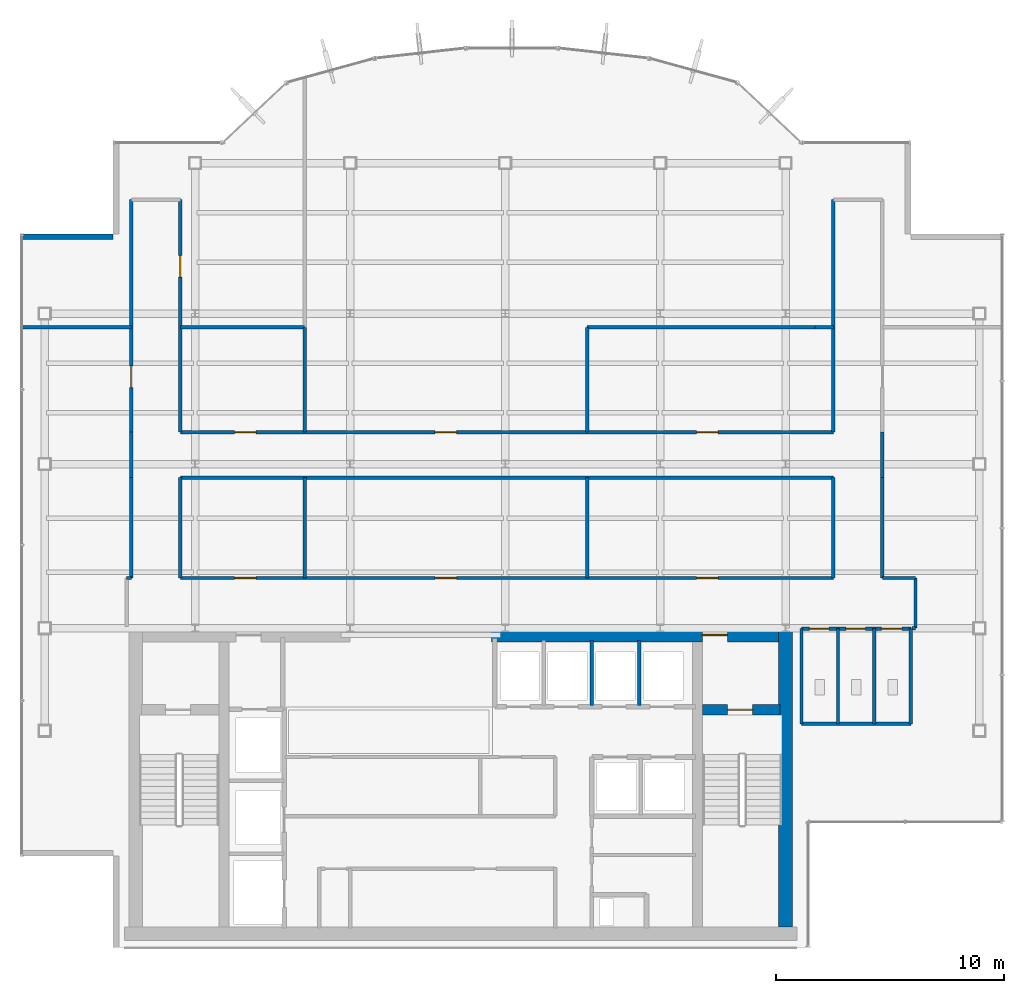
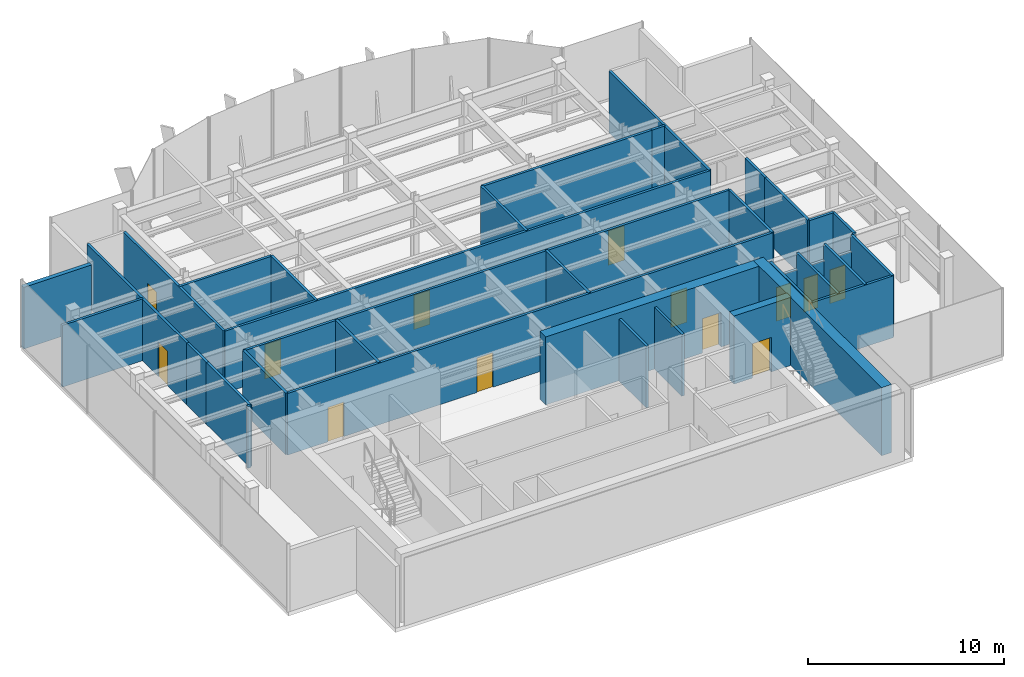
# One storey, part 20 of 24: 36 walls, 13 doors, 13 openings.
"""IFC4 building model written with IfcOpenShell, lengths in metres."""

from ifc_helpers import new_model, si_unit, derived_unit, direction, frame, frame_2d, origin, place, context, subcontext, project, spatial, rectangle, extrude, source, transform, mapped, material, layer, layer_set, type_object, element, fill, save


model = new_model("IFC4")

# Units and contexts
model_context = context("Model", 3, precision=1e-05, world=origin(), true_north=direction((0.0, 1.0)))
body_context = subcontext(model_context, "Body", "Model", "MODEL_VIEW")
ifc_project = project(units=[si_unit("LENGTHUNIT", "METRE"), si_unit("AREAUNIT", "SQUARE_METRE"), si_unit("VOLUMEUNIT", "CUBIC_METRE"), si_unit("PLANEANGLEUNIT", "RADIAN"), si_unit("MASSUNIT", "GRAM", prefix="KILO"), derived_unit("THERMALTRANSMITTANCEUNIT", [(si_unit("POWERUNIT", "WATT"), 1), (si_unit("LENGTHUNIT", "METRE"), -2), (si_unit("THERMODYNAMICTEMPERATUREUNIT", "KELVIN"), -1)])], contexts=[model_context])

# Site, building, storey
site_placement = place(None, origin())
site = spatial("IfcSite", under=ifc_project, at=site_placement, CompositionType="ELEMENT")
building_placement = place(site_placement, origin())
building = spatial("IfcBuilding", under=site, at=building_placement, Name="Skarnbrae Concourse Arena and Tower", CompositionType="ELEMENT")
storey_placement = place(building_placement, frame((0.0, 0.0, 288.0)))
storey = spatial("IfcBuildingStorey", under=building, at=storey_placement, Name="L75", CompositionType="ELEMENT", Elevation=288.0)

# Wall
ifc_material_1 = material(Name="Concrete 50 MPa (C50/60)", Category="concrete")
ifc_layer_1 = layer(ifc_material_1, 0.60009765625)
ifc_layer_set_1 = layer_set([ifc_layer_1], Name="Concrete 50 MPa (C50/60)")
wall_type_1 = type_object("IfcWallType", Name="WALL-CORE-600-C50", PredefinedType="SHEAR", material=ifc_layer_set_1)
shared_shape_1 = source(origin(), body_context, "Body", "SweptSolid", [
    extrude(rectangle(XDim=13.10009765625, YDim=0.60009765625, at=frame_2d((6.550048828125, 0.0))), origin(), (0.0, 0.0, 1.0), 4.25),
])
wall_1_placement = place(storey_placement, frame((33.5, 0.89990234375, 0.0), z_axis=(0.0, 0.0, 1.0), x_axis=(0.0, 1.0, 0.0)))
element("IfcWall", 1, at=wall_1_placement, inside=storey, type_object=wall_type_1, Name="L75 Rear core shear wall CW-E", PredefinedType="SHEAR", context=body_context, shape_type="MappedRepresentation", body=[
    mapped(shared_shape_1, transform((0.0, 0.0, 0.0))),
])

# Wall, opening, door
shared_shape_2 = source(origin(), body_context, "Body", "SweptSolid", [
    extrude(rectangle(XDim=12.599853515625, YDim=0.60009765625, at=frame_2d((6.2998046875, 0.0))), origin(), (0.0, 0.0, 1.0), 4.25),
])
wall_2_placement = place(storey_placement, frame((20.60009765625, 13.699951171875, 0.0), z_axis=(0.0, 0.0, 1.0), x_axis=(1.0, 0.0, 0.0)))
wall_2 = element("IfcWall", 2, at=wall_2_placement, inside=storey, type_object=wall_type_1, Name="L75 Rear core shear wall CW-NE", PredefinedType="SHEAR", context=body_context, shape_type="MappedRepresentation", body=[
    mapped(shared_shape_2, transform((0.0, 0.0, 0.0))),
])
opening_1_placement = place(wall_2_placement, frame((9.25, 0.0, 0.0)))
opening_1 = element("IfcOpeningElement", 3, at=opening_1_placement, cuts=wall_2, Name="Opening DT-03", PredefinedType="OPENING", context=body_context, shape_type="SweptSolid", body=[
    extrude(rectangle(XDim=1.10009765625, YDim=2.14990234375, at=frame_2d((0.550048828125, 1.074951171875))), frame((0.0, 0.31005859375, 0.0), z_axis=(0.0, -1.0, 0.0), x_axis=(1.0, 0.0, 0.0)), (0.0, 0.0, 1.0), 0.6201171875),
])
ifc_material_2 = material(Name="Steel CSA G40.21 350W", Category="steel")
door_type_1 = type_object("IfcDoorType", Name="DOOR-FIRE-1100-90M", OperationType="NOTDEFINED", PredefinedType="DOOR", material=ifc_material_2)
shared_shape_3 = source(origin(), body_context, "Body", "SweptSolid", [
    extrude(rectangle(XDim=1.10009765625, YDim=2.14990234375, at=frame_2d((0.550048828125, 1.074951171875))), frame((0.0, 0.02490234375, 0.0), z_axis=(0.0, -1.0, 0.0), x_axis=(1.0, 0.0, 0.0)), (0.0, 0.0, 1.0), 0.050048828125),
])
door_1_placement = place(opening_1_placement, origin())
door_1 = element("IfcDoor", 4, at=door_1_placement, inside=storey, type_object=door_type_1, Name="D-2265 Stair ST-2 Vestibule Door", OperationType="SINGLE_SWING_LEFT", OverallHeight=2.14990234375, OverallWidth=1.10009765625, PredefinedType="DOOR", context=body_context, shape_type="MappedRepresentation", body=[
    mapped(shared_shape_3, transform((0.0, 0.0, 0.0))),
])
fill(opening_1, door_1)

ifc_layer_2 = layer(ifc_material_1, 0.449951171875)
ifc_layer_set_2 = layer_set([ifc_layer_2], Name="Concrete 50 MPa (C50/60)")
wall_type_2 = type_object("IfcWallType", Name="WALL-CORE-450-C50", PredefinedType="SHEAR", material=ifc_layer_set_2)
shared_shape_4 = source(origin(), body_context, "Body", "SweptSolid", [
    extrude(rectangle(XDim=3.389892578125, YDim=0.449951171875, at=frame_2d((1.69482421875, 0.0))), origin(), (0.0, 0.0, 1.0), 4.25),
])
wall_3_placement = place(storey_placement, frame((29.860107421875, 10.419921875, 0.0), z_axis=(0.0, 0.0, 1.0), x_axis=(1.0, 0.0, 0.0)))
wall_3 = element("IfcWall", 5, at=wall_3_placement, inside=storey, type_object=wall_type_2, Name="L75 Rear core shear wall CW-ST2-N", PredefinedType="SHEAR", context=body_context, shape_type="MappedRepresentation", body=[
    mapped(shared_shape_4, transform((0.0, 0.0, 0.0))),
])
opening_2_placement = place(wall_3_placement, frame((1.10009765625, 0.0, 0.0)))
opening_2 = element("IfcOpeningElement", 6, at=opening_2_placement, cuts=wall_3, Name="Opening DT-03", PredefinedType="OPENING", context=body_context, shape_type="SweptSolid", body=[
    extrude(rectangle(XDim=1.10009765625, YDim=2.14990234375, at=frame_2d((0.550048828125, 1.074951171875))), frame((0.0, 0.23486328125, 0.0), z_axis=(0.0, -1.0, 0.0), x_axis=(1.0, 0.0, 0.0)), (0.0, 0.0, 1.0), 0.469970703125),
])
door_2_placement = place(opening_2_placement, frame((1.10009765625, 0.0, 0.0), z_axis=(0.0, 0.0, 1.0), x_axis=(-1.0, 0.0, 0.0)))
door_2 = element("IfcDoor", 7, at=door_2_placement, inside=storey, type_object=door_type_1, Name="D-2263 Stair ST-2 Door", OperationType="SINGLE_SWING_RIGHT", OverallHeight=2.14990234375, OverallWidth=1.10009765625, PredefinedType="DOOR", context=body_context, shape_type="MappedRepresentation", body=[
    mapped(shared_shape_3, transform((0.0, 0.0, 0.0))),
])
fill(opening_2, door_2)

# Walls
ifc_material_3 = material(Name="Precast concrete 40 MPa (C40/50)", Category="concrete")
ifc_layer_3 = layer(ifc_material_3, 0.25)
ifc_layer_set_3 = layer_set([ifc_layer_3], Name="Precast concrete 40 MPa (C40/50)")
wall_type_3 = type_object("IfcWallType", Name="WALL-EXT-SPANDREL-250", PredefinedType="STANDARD", material=ifc_layer_set_3)
shared_shape_5 = source(origin(), body_context, "Body", "SweptSolid", [
    extrude(rectangle(XDim=4.0, YDim=0.25, at=frame_2d((2.0, 0.0))), origin(), (0.0, 0.0, 1.0), 3.85009765625),
])
wall_4_placement = place(storey_placement, frame((4.0, 31.175048828125, 0.0), z_axis=(0.0, 0.0, 1.0), x_axis=(-1.0, 0.0, 0.0)))
element("IfcWall", 8, at=wall_4_placement, inside=storey, type_object=wall_type_3, Name="L75 Notched corner insulated return wall 17", PredefinedType="STANDARD", context=body_context, shape_type="MappedRepresentation", body=[
    mapped(shared_shape_5, transform((0.0, 0.0, 0.0))),
])
ifc_material_4 = material(Name="Gypsum board on cold-formed steel studs", Category="steel")
ifc_layer_4 = layer(ifc_material_4, 0.14990234375)
ifc_layer_set_4 = layer_set([ifc_layer_4], Name="Gypsum board on cold-formed steel studs")
wall_type_4 = type_object("IfcWallType", Name="WALL-PART-150", PredefinedType="PARTITIONING", material=ifc_layer_set_4)
shared_shape_6 = source(origin(), body_context, "Body", "SweptSolid", [
    extrude(rectangle(XDim=2.849853515625, YDim=0.14990234375, at=frame_2d((1.4248046875, 0.0))), origin(), (0.0, 0.0, 1.0), 3.85009765625),
])
for number, where, z_axis, x_axis, name in (
    (9, (24.989990234375, 10.60009765625, 0.0), (0.0, 0.0, 1.0), (0.0, 1.0, 0.0), "L75 Interior partition wall W-L75-B3N-P2"),
    (10, (27.090087890625, 10.60009765625, 0.0), (0.0, 0.0, 1.0), (0.0, 1.0, 0.0), "L75 Interior partition wall W-L75-B3N-P3"),
):
    element("IfcWall", number, at=place(storey_placement, frame(where, z_axis=z_axis, x_axis=x_axis)), inside=storey, type_object=wall_type_4, Name=name, PredefinedType="PARTITIONING", context=body_context, shape_type="MappedRepresentation", body=[
        mapped(shared_shape_6, transform((0.0, 0.0, 0.0))),
    ])

# Wall, openings, doors
shared_shape_7 = source(origin(), body_context, "Body", "SweptSolid", [
    extrude(rectangle(XDim=4.800048828125, YDim=0.14990234375, at=frame_2d((2.39990234375, 0.0))), origin(), (0.0, 0.0, 1.0), 2.844970703125),
])
wall_5_placement = place(storey_placement, frame((34.199951171875, 13.97998046875, 0.0), z_axis=(0.0, 0.0, 1.0), x_axis=(1.0, 0.0, 0.0)))
wall_5 = element("IfcWall", 11, at=wall_5_placement, inside=storey, type_object=wall_type_4, Name="L75 Interior partition wall W-L75-WC-N", PredefinedType="PARTITIONING", context=body_context, shape_type="MappedRepresentation", body=[
    mapped(shared_shape_7, transform((0.0, 0.0, 0.0))),
])
opening_3_placement = place(wall_5_placement, frame((0.35009765625, 0.0, 0.0)))
opening_3 = element("IfcOpeningElement", 12, at=opening_3_placement, cuts=wall_5, Name="Opening DT-06", PredefinedType="OPENING", context=body_context, shape_type="SweptSolid", body=[
    extrude(rectangle(XDim=0.85009765625, YDim=2.10009765625, at=frame_2d((0.425048828125, 1.050048828125))), frame((0.0, 0.0849609375, 0.0), z_axis=(0.0, -1.0, 0.0), x_axis=(1.0, 0.0, 0.0)), (0.0, 0.0, 1.0), 0.169921875),
])
opening_4_placement = place(wall_5_placement, frame((1.949951171875, 0.0, 0.0)))
opening_4 = element("IfcOpeningElement", 13, at=opening_4_placement, cuts=wall_5, Name="Opening DT-06", PredefinedType="OPENING", context=body_context, shape_type="SweptSolid", body=[
    extrude(rectangle(XDim=0.85009765625, YDim=2.10009765625, at=frame_2d((0.425048828125, 1.050048828125))), frame((0.0, 0.0849609375, 0.0), z_axis=(0.0, -1.0, 0.0), x_axis=(1.0, 0.0, 0.0)), (0.0, 0.0, 1.0), 0.169921875),
])
opening_5_placement = place(wall_5_placement, frame((3.5, 0.0, 0.0)))
opening_5 = element("IfcOpeningElement", 14, at=opening_5_placement, cuts=wall_5, Name="Opening DT-05", PredefinedType="OPENING", context=body_context, shape_type="SweptSolid", body=[
    extrude(rectangle(XDim=0.89990234375, YDim=2.10009765625, at=frame_2d((0.449951171875, 1.050048828125))), frame((0.0, 0.0849609375, 0.0), z_axis=(0.0, -1.0, 0.0), x_axis=(1.0, 0.0, 0.0)), (0.0, 0.0, 1.0), 0.169921875),
])
ifc_material_5 = material(Name="Architectural oak veneer timber leaf", Category="wood")
door_type_2 = type_object("IfcDoorType", Name="DOOR-INT-850", OperationType="NOTDEFINED", PredefinedType="DOOR", material=ifc_material_5)
shared_shape_8 = source(origin(), body_context, "Body", "SweptSolid", [
    extrude(rectangle(XDim=0.85009765625, YDim=2.10009765625, at=frame_2d((0.425048828125, 1.050048828125))), frame((0.0, 0.02490234375, 0.0), z_axis=(0.0, -1.0, 0.0), x_axis=(1.0, 0.0, 0.0)), (0.0, 0.0, 1.0), 0.050048828125),
])
door_3_placement = place(opening_3_placement, frame((0.85009765625, 0.0, 0.0), z_axis=(0.0, 0.0, 1.0), x_axis=(-1.0, 0.0, 0.0)))
door_3 = element("IfcDoor", 15, at=door_3_placement, inside=storey, type_object=door_type_2, Name="D-2281 Male Washroom Door", OperationType="SINGLE_SWING_LEFT", OverallHeight=2.10009765625, OverallWidth=0.85009765625, PredefinedType="DOOR", context=body_context, shape_type="MappedRepresentation", body=[
    mapped(shared_shape_8, transform((0.0, 0.0, 0.0))),
])
fill(opening_3, door_3)
door_4_placement = place(opening_4_placement, frame((0.85009765625, 0.0, 0.0), z_axis=(0.0, 0.0, 1.0), x_axis=(-1.0, 0.0, 0.0)))
door_4 = element("IfcDoor", 16, at=door_4_placement, inside=storey, type_object=door_type_2, Name="D-2282 Female Washroom Door", OperationType="SINGLE_SWING_RIGHT", OverallHeight=2.10009765625, OverallWidth=0.85009765625, PredefinedType="DOOR", context=body_context, shape_type="MappedRepresentation", body=[
    mapped(shared_shape_8, transform((0.0, 0.0, 0.0))),
])
fill(opening_4, door_4)
door_type_3 = type_object("IfcDoorType", Name="DOOR-INT-900", OperationType="NOTDEFINED", PredefinedType="DOOR", material=ifc_material_5)
shared_shape_9 = source(origin(), body_context, "Body", "SweptSolid", [
    extrude(rectangle(XDim=0.89990234375, YDim=2.10009765625, at=frame_2d((0.449951171875, 1.050048828125))), frame((0.0, 0.02490234375, 0.0), z_axis=(0.0, -1.0, 0.0), x_axis=(1.0, 0.0, 0.0)), (0.0, 0.0, 1.0), 0.050048828125),
])
door_5_placement = place(opening_5_placement, frame((0.89990234375, 0.0, 0.0), z_axis=(0.0, 0.0, 1.0), x_axis=(-1.0, 0.0, 0.0)))
door_5 = element("IfcDoor", 17, at=door_5_placement, inside=storey, type_object=door_type_3, Name="D-2283 Accessible WC Door", OperationType="SINGLE_SWING_LEFT", OverallHeight=2.10009765625, OverallWidth=0.89990234375, PredefinedType="DOOR", context=body_context, shape_type="MappedRepresentation", body=[
    mapped(shared_shape_9, transform((0.0, 0.0, 0.0))),
])
fill(opening_5, door_5)

# Walls
shared_shape_10 = source(origin(), body_context, "Body", "SweptSolid", [
    extrude(rectangle(XDim=4.800048828125, YDim=0.14990234375, at=frame_2d((2.39990234375, 0.0))), origin(), (0.0, 0.0, 1.0), 3.85009765625),
])
wall_6_placement = place(storey_placement, frame((34.199951171875, 9.800048828125, 0.0), z_axis=(0.0, 0.0, 1.0), x_axis=(1.0, 0.0, 0.0)))
element("IfcWall", 18, at=wall_6_placement, inside=storey, type_object=wall_type_4, Name="L75 Interior partition wall W-L75-WC-S", PredefinedType="PARTITIONING", context=body_context, shape_type="MappedRepresentation", body=[
    mapped(shared_shape_10, transform((0.0, 0.0, 0.0))),
])
shared_shape_11 = source(origin(), body_context, "Body", "SweptSolid", [
    extrude(rectangle(XDim=4.179931640625, YDim=0.14990234375, at=frame_2d((2.08984375, 0.0))), origin(), (0.0, 0.0, 1.0), 3.85009765625),
])
for number, where, z_axis, x_axis, name in (
    (19, (39.0, 9.800048828125, 0.0), (0.0, 0.0, 1.0), (0.0, 1.0, 0.0), "L75 Interior partition wall W-L75-WC-E"),
    (20, (34.199951171875, 9.800048828125, 0.0), (0.0, 0.0, 1.0), (0.0, 1.0, 0.0), "L75 Interior partition wall W-L75-WC-W"),
    (21, (35.800048828125, 9.800048828125, 0.0), (0.0, 0.0, 1.0), (0.0, 1.0, 0.0), "L75 Interior partition wall W-L75-WC-D1"),
    (22, (37.39990234375, 9.800048828125, 0.0), (0.0, 0.0, 1.0), (0.0, 1.0, 0.0), "L75 Interior partition wall W-L75-WC-D2"),
):
    element("IfcWall", number, at=place(storey_placement, frame(where, z_axis=z_axis, x_axis=x_axis)), inside=storey, type_object=wall_type_4, Name=name, PredefinedType="PARTITIONING", context=body_context, shape_type="MappedRepresentation", body=[
        mapped(shared_shape_11, transform((0.0, 0.0, 0.0))),
    ])
ifc_layer_5 = layer(ifc_material_4, 0.14990234375)
ifc_layer_set_5 = layer_set([ifc_layer_5], Name="Gypsum board on cold-formed steel studs")
wall_type_5 = type_object("IfcWallType", Name="WALL-PART-150-1HR", PredefinedType="PARTITIONING", material=ifc_layer_set_5)
shared_shape_12 = source(origin(), body_context, "Body", "SweptSolid", [
    extrude(rectangle(XDim=0.199951171875, YDim=0.14990234375, at=frame_2d((0.10009765625, 0.0))), origin(), (0.0, 0.0, 1.0), 3.85009765625),
])
wall_7_placement = place(storey_placement, frame((4.60009765625, 16.199951171875, 0.0), z_axis=(0.0, 0.0, 1.0), x_axis=(1.0, 0.0, 0.0)))
element("IfcWall", 23, at=wall_7_placement, inside=storey, type_object=wall_type_5, Name="L75 Interior partition wall W-L75-COR-02", PredefinedType="PARTITIONING", context=body_context, shape_type="MappedRepresentation", body=[
    mapped(shared_shape_12, transform((0.0, 0.0, 0.0))),
])
shared_shape_13 = source(origin(), body_context, "Body", "SweptSolid", [
    extrude(rectangle(XDim=4.400146484375, YDim=0.14990234375, at=frame_2d((2.2001953125, 0.0))), origin(), (0.0, 0.0, 1.0), 3.85009765625),
])
for number, where, z_axis, x_axis, name in (
    (24, (4.800048828125, 16.199951171875, 0.0), (0.0, 0.0, 1.0), (0.0, 1.0, 0.0), "L75 Interior partition wall W-L75-COR-03"),
    (25, (37.75, 20.60009765625, 0.0), (0.0, 0.0, 1.0), (0.0, -1.0, 0.0), "L75 Interior partition wall W-L75-COR-13"),
    (26, (35.60009765625, 16.199951171875, 0.0), (0.0, 0.0, 1.0), (0.0, 1.0, 0.0), "L75 Interior partition wall W-L75-COR-18"),
    (27, (6.949951171875, 20.60009765625, 0.0), (0.0, 0.0, 1.0), (0.0, -1.0, 0.0), "L75 Interior partition wall W-L75-COR-20"),
):
    element("IfcWall", number, at=place(storey_placement, frame(where, z_axis=z_axis, x_axis=x_axis)), inside=storey, type_object=wall_type_5, Name=name, PredefinedType="PARTITIONING", context=body_context, shape_type="MappedRepresentation", body=[
        mapped(shared_shape_13, transform((0.0, 0.0, 0.0))),
    ])
for number, where, z_axis, x_axis, name in (
    (28, (12.39990234375, 20.60009765625, 0.0), (0.0, 0.0, 1.0), (0.0, -1.0, 0.0), "L75 Interior partition wall W-L75-DEM-23"),
    (29, (24.800048828125, 20.60009765625, 0.0), (0.0, 0.0, 1.0), (0.0, -1.0, 0.0), "L75 Interior partition wall W-L75-DEM-26"),
):
    element("IfcWall", number, at=place(storey_placement, frame(where, z_axis=z_axis, x_axis=x_axis)), inside=storey, type_object=wall_type_4, Name=name, PredefinedType="PARTITIONING", context=body_context, shape_type="MappedRepresentation", body=[
        mapped(shared_shape_13, transform((0.0, 0.0, 0.0))),
    ])
shared_shape_14 = source(origin(), body_context, "Body", "SweptSolid", [
    extrude(rectangle(XDim=2.0, YDim=0.14990234375, at=frame_2d((1.0, 0.0))), origin(), (0.0, 0.0, 1.0), 3.85009765625),
])
for number, where, z_axis, x_axis, name in (
    (30, (4.800048828125, 20.60009765625, 0.0), (0.0, 0.0, 1.0), (0.0, 1.0, 0.0), "L75 Interior partition wall W-L75-COR-04"),
    (31, (37.75, 22.60009765625, 0.0), (0.0, 0.0, 1.0), (0.0, -1.0, 0.0), "L75 Interior partition wall W-L75-COR-12"),
):
    element("IfcWall", number, at=place(storey_placement, frame(where, z_axis=z_axis, x_axis=x_axis)), inside=storey, type_object=wall_type_5, Name=name, PredefinedType="PARTITIONING", context=body_context, shape_type="MappedRepresentation", body=[
        mapped(shared_shape_14, transform((0.0, 0.0, 0.0))),
    ])

# Wall, opening, door
shared_shape_15 = source(origin(), body_context, "Body", "SweptSolid", [
    extrude(rectangle(XDim=10.199951171875, YDim=0.14990234375, at=frame_2d((5.10009765625, 0.0))), origin(), (0.0, 0.0, 1.0), 3.85009765625),
])
wall_8_placement = place(storey_placement, frame((4.800048828125, 22.60009765625, 0.0), z_axis=(0.0, 0.0, 1.0), x_axis=(0.0, 1.0, 0.0)))
wall_8 = element("IfcWall", 32, at=wall_8_placement, inside=storey, type_object=wall_type_5, Name="L75 Interior partition wall W-L75-COR-05", PredefinedType="PARTITIONING", context=body_context, shape_type="MappedRepresentation", body=[
    mapped(shared_shape_15, transform((0.0, 0.0, 0.0))),
])
opening_6_placement = place(wall_8_placement, frame((1.955078125, 0.0, 0.0)))
opening_6 = element("IfcOpeningElement", 33, at=opening_6_placement, cuts=wall_8, Name="Opening DT-04", PredefinedType="OPENING", context=body_context, shape_type="SweptSolid", body=[
    extrude(rectangle(XDim=0.949951171875, YDim=2.14990234375, at=frame_2d((0.47509765625, 1.074951171875))), frame((0.0, 0.0849609375, 0.0), z_axis=(0.0, -1.0, 0.0), x_axis=(1.0, 0.0, 0.0)), (0.0, 0.0, 1.0), 0.169921875),
])
door_type_4 = type_object("IfcDoorType", Name="DOOR-INT-950-45M", OperationType="NOTDEFINED", PredefinedType="DOOR", material=ifc_material_2)
shared_shape_16 = source(origin(), body_context, "Body", "SweptSolid", [
    extrude(rectangle(XDim=0.949951171875, YDim=2.14990234375, at=frame_2d((0.47509765625, 1.074951171875))), frame((0.0, 0.02490234375, 0.0), z_axis=(0.0, -1.0, 0.0), x_axis=(1.0, 0.0, 0.0)), (0.0, 0.0, 1.0), 0.050048828125),
])
door_6_placement = place(opening_6_placement, origin())
door_6 = element("IfcDoor", 34, at=door_6_placement, inside=storey, type_object=door_type_4, Name="D-2284 L75 Suite Door 01", OperationType="SINGLE_SWING_RIGHT", OverallHeight=2.14990234375, OverallWidth=0.949951171875, PredefinedType="DOOR", context=body_context, shape_type="MappedRepresentation", body=[
    mapped(shared_shape_16, transform((0.0, 0.0, 0.0))),
])
fill(opening_6, door_6)

wall_9_placement = place(storey_placement, frame((6.949951171875, 32.800048828125, 0.0), z_axis=(0.0, 0.0, 1.0), x_axis=(0.0, -1.0, 0.0)))
wall_9 = element("IfcWall", 35, at=wall_9_placement, inside=storey, type_object=wall_type_5, Name="L75 Interior partition wall W-L75-COR-07", PredefinedType="PARTITIONING", context=body_context, shape_type="MappedRepresentation", body=[
    mapped(shared_shape_15, transform((0.0, 0.0, 0.0))),
])
opening_7_placement = place(wall_9_placement, frame((2.455078125, 0.0, 0.0)))
opening_7 = element("IfcOpeningElement", 36, at=opening_7_placement, cuts=wall_9, Name="Opening DT-04", PredefinedType="OPENING", context=body_context, shape_type="SweptSolid", body=[
    extrude(rectangle(XDim=0.949951171875, YDim=2.14990234375, at=frame_2d((0.47509765625, 1.074951171875))), frame((0.0, 0.0849609375, 0.0), z_axis=(0.0, -1.0, 0.0), x_axis=(1.0, 0.0, 0.0)), (0.0, 0.0, 1.0), 0.169921875),
])
door_7_placement = place(opening_7_placement, origin())
door_7 = element("IfcDoor", 37, at=door_7_placement, inside=storey, type_object=door_type_4, Name="D-2285 L75 Suite Door 02", OperationType="SINGLE_SWING_LEFT", OverallHeight=2.14990234375, OverallWidth=0.949951171875, PredefinedType="DOOR", context=body_context, shape_type="MappedRepresentation", body=[
    mapped(shared_shape_16, transform((0.0, 0.0, 0.0))),
])
fill(opening_7, door_7)

# Wall
wall_10_placement = place(storey_placement, frame((35.60009765625, 22.60009765625, 0.0), z_axis=(0.0, 0.0, 1.0), x_axis=(0.0, 1.0, 0.0)))
element("IfcWall", 38, at=wall_10_placement, inside=storey, type_object=wall_type_5, Name="L75 Interior partition wall W-L75-COR-09", PredefinedType="PARTITIONING", context=body_context, shape_type="MappedRepresentation", body=[
    mapped(shared_shape_15, transform((0.0, 0.0, 0.0))),
])

# Wall, openings, doors
shared_shape_17 = source(origin(), body_context, "Body", "SweptSolid", [
    extrude(rectangle(XDim=28.650146484375, YDim=0.14990234375, at=frame_2d((14.3251953125, 0.0))), origin(), (0.0, 0.0, 1.0), 3.85009765625),
])
wall_11_placement = place(storey_placement, frame((6.949951171875, 22.60009765625, 0.0), z_axis=(0.0, 0.0, 1.0), x_axis=(1.0, 0.0, 0.0)))
wall_11 = element("IfcWall", 39, at=wall_11_placement, inside=storey, type_object=wall_type_5, Name="L75 Interior partition wall W-L75-COR-08", PredefinedType="PARTITIONING", context=body_context, shape_type="MappedRepresentation", body=[
    mapped(shared_shape_17, transform((0.0, 0.0, 0.0))),
])
opening_8_placement = place(wall_11_placement, frame((2.3798828125, 0.0, 0.0)))
opening_8 = element("IfcOpeningElement", 40, at=opening_8_placement, cuts=wall_11, Name="Opening DT-04", PredefinedType="OPENING", context=body_context, shape_type="SweptSolid", body=[
    extrude(rectangle(XDim=0.949951171875, YDim=2.14990234375, at=frame_2d((0.47509765625, 1.074951171875))), frame((0.0, 0.0849609375, 0.0), z_axis=(0.0, -1.0, 0.0), x_axis=(1.0, 0.0, 0.0)), (0.0, 0.0, 1.0), 0.169921875),
])
opening_9_placement = place(wall_11_placement, frame((11.175048828125, 0.0, 0.0)))
opening_9 = element("IfcOpeningElement", 41, at=opening_9_placement, cuts=wall_11, Name="Opening DT-04", PredefinedType="OPENING", context=body_context, shape_type="SweptSolid", body=[
    extrude(rectangle(XDim=0.949951171875, YDim=2.14990234375, at=frame_2d((0.47509765625, 1.074951171875))), frame((0.0, 0.0849609375, 0.0), z_axis=(0.0, -1.0, 0.0), x_axis=(1.0, 0.0, 0.0)), (0.0, 0.0, 1.0), 0.169921875),
])
opening_10_placement = place(wall_11_placement, frame((22.64501953125, 0.0, 0.0)))
opening_10 = element("IfcOpeningElement", 42, at=opening_10_placement, cuts=wall_11, Name="Opening DT-04", PredefinedType="OPENING", context=body_context, shape_type="SweptSolid", body=[
    extrude(rectangle(XDim=0.949951171875, YDim=2.14990234375, at=frame_2d((0.47509765625, 1.074951171875))), frame((0.0, 0.0849609375, 0.0), z_axis=(0.0, -1.0, 0.0), x_axis=(1.0, 0.0, 0.0)), (0.0, 0.0, 1.0), 0.169921875),
])
door_8_placement = place(opening_8_placement, origin())
door_8 = element("IfcDoor", 43, at=door_8_placement, inside=storey, type_object=door_type_4, Name="D-2287 L75 Suite Door 04", OperationType="SINGLE_SWING_LEFT", OverallHeight=2.14990234375, OverallWidth=0.949951171875, PredefinedType="DOOR", context=body_context, shape_type="MappedRepresentation", body=[
    mapped(shared_shape_16, transform((0.0, 0.0, 0.0))),
])
fill(opening_8, door_8)
door_9_placement = place(opening_9_placement, origin())
door_9 = element("IfcDoor", 44, at=door_9_placement, inside=storey, type_object=door_type_4, Name="D-2289 L75 Suite Door 06", OperationType="SINGLE_SWING_LEFT", OverallHeight=2.14990234375, OverallWidth=0.949951171875, PredefinedType="DOOR", context=body_context, shape_type="MappedRepresentation", body=[
    mapped(shared_shape_16, transform((0.0, 0.0, 0.0))),
])
fill(opening_9, door_9)
door_10_placement = place(opening_10_placement, origin())
door_10 = element("IfcDoor", 45, at=door_10_placement, inside=storey, type_object=door_type_4, Name="D-2291 L75 Suite Door 08", OperationType="SINGLE_SWING_LEFT", OverallHeight=2.14990234375, OverallWidth=0.949951171875, PredefinedType="DOOR", context=body_context, shape_type="MappedRepresentation", body=[
    mapped(shared_shape_16, transform((0.0, 0.0, 0.0))),
])
fill(opening_10, door_10)

wall_12_placement = place(storey_placement, frame((6.949951171875, 16.199951171875, 0.0), z_axis=(0.0, 0.0, 1.0), x_axis=(1.0, 0.0, 0.0)))
wall_12 = element("IfcWall", 46, at=wall_12_placement, inside=storey, type_object=wall_type_5, Name="L75 Interior partition wall W-L75-COR-17", PredefinedType="PARTITIONING", context=body_context, shape_type="MappedRepresentation", body=[
    mapped(shared_shape_17, transform((0.0, 0.0, 0.0))),
])
opening_11_placement = place(wall_12_placement, frame((2.3798828125, 0.0, 0.0)))
opening_11 = element("IfcOpeningElement", 47, at=opening_11_placement, cuts=wall_12, Name="Opening DT-04", PredefinedType="OPENING", context=body_context, shape_type="SweptSolid", body=[
    extrude(rectangle(XDim=0.949951171875, YDim=2.14990234375, at=frame_2d((0.47509765625, 1.074951171875))), frame((0.0, 0.0849609375, 0.0), z_axis=(0.0, -1.0, 0.0), x_axis=(1.0, 0.0, 0.0)), (0.0, 0.0, 1.0), 0.169921875),
])
opening_12_placement = place(wall_12_placement, frame((11.175048828125, 0.0, 0.0)))
opening_12 = element("IfcOpeningElement", 48, at=opening_12_placement, cuts=wall_12, Name="Opening DT-04", PredefinedType="OPENING", context=body_context, shape_type="SweptSolid", body=[
    extrude(rectangle(XDim=0.949951171875, YDim=2.14990234375, at=frame_2d((0.47509765625, 1.074951171875))), frame((0.0, 0.0849609375, 0.0), z_axis=(0.0, -1.0, 0.0), x_axis=(1.0, 0.0, 0.0)), (0.0, 0.0, 1.0), 0.169921875),
])
opening_13_placement = place(wall_12_placement, frame((22.64501953125, 0.0, 0.0)))
opening_13 = element("IfcOpeningElement", 49, at=opening_13_placement, cuts=wall_12, Name="Opening DT-04", PredefinedType="OPENING", context=body_context, shape_type="SweptSolid", body=[
    extrude(rectangle(XDim=0.949951171875, YDim=2.14990234375, at=frame_2d((0.47509765625, 1.074951171875))), frame((0.0, 0.0849609375, 0.0), z_axis=(0.0, -1.0, 0.0), x_axis=(1.0, 0.0, 0.0)), (0.0, 0.0, 1.0), 0.169921875),
])
door_11_placement = place(opening_11_placement, origin())
door_11 = element("IfcDoor", 50, at=door_11_placement, inside=storey, type_object=door_type_4, Name="D-2286 L75 Suite Door 03", OperationType="SINGLE_SWING_RIGHT", OverallHeight=2.14990234375, OverallWidth=0.949951171875, PredefinedType="DOOR", context=body_context, shape_type="MappedRepresentation", body=[
    mapped(shared_shape_16, transform((0.0, 0.0, 0.0))),
])
fill(opening_11, door_11)
door_12_placement = place(opening_12_placement, origin())
door_12 = element("IfcDoor", 51, at=door_12_placement, inside=storey, type_object=door_type_4, Name="D-2288 L75 Suite Door 05", OperationType="SINGLE_SWING_RIGHT", OverallHeight=2.14990234375, OverallWidth=0.949951171875, PredefinedType="DOOR", context=body_context, shape_type="MappedRepresentation", body=[
    mapped(shared_shape_16, transform((0.0, 0.0, 0.0))),
])
fill(opening_12, door_12)
door_13_placement = place(opening_13_placement, origin())
door_13 = element("IfcDoor", 52, at=door_13_placement, inside=storey, type_object=door_type_4, Name="D-2290 L75 Suite Door 07", OperationType="SINGLE_SWING_RIGHT", OverallHeight=2.14990234375, OverallWidth=0.949951171875, PredefinedType="DOOR", context=body_context, shape_type="MappedRepresentation", body=[
    mapped(shared_shape_16, transform((0.0, 0.0, 0.0))),
])
fill(opening_13, door_13)

# Walls
wall_13_placement = place(storey_placement, frame((35.60009765625, 20.60009765625, 0.0), z_axis=(0.0, 0.0, 1.0), x_axis=(-1.0, 0.0, 0.0)))
element("IfcWall", 53, at=wall_13_placement, inside=storey, type_object=wall_type_5, Name="L75 Interior partition wall W-L75-COR-19", PredefinedType="PARTITIONING", context=body_context, shape_type="MappedRepresentation", body=[
    mapped(shared_shape_17, transform((0.0, 0.0, 0.0))),
])
shared_shape_18 = source(origin(), body_context, "Body", "SweptSolid", [
    extrude(rectangle(XDim=1.449951171875, YDim=0.14990234375, at=frame_2d((0.72509765625, 0.0))), origin(), (0.0, 0.0, 1.0), 3.85009765625),
])
wall_14_placement = place(storey_placement, frame((37.75, 16.199951171875, 0.0), z_axis=(0.0, 0.0, 1.0), x_axis=(1.0, 0.0, 0.0)))
element("IfcWall", 54, at=wall_14_placement, inside=storey, type_object=wall_type_5, Name="L75 Interior partition wall W-L75-COR-14", PredefinedType="PARTITIONING", context=body_context, shape_type="MappedRepresentation", body=[
    mapped(shared_shape_18, transform((0.0, 0.0, 0.0))),
])
shared_shape_19 = source(origin(), body_context, "Body", "SweptSolid", [
    extrude(rectangle(XDim=2.199951171875, YDim=0.14990234375, at=frame_2d((1.10009765625, 0.0))), origin(), (0.0, 0.0, 1.0), 3.85009765625),
])
wall_15_placement = place(storey_placement, frame((39.199951171875, 16.199951171875, 0.0), z_axis=(0.0, 0.0, 1.0), x_axis=(0.0, -1.0, 0.0)))
element("IfcWall", 55, at=wall_15_placement, inside=storey, type_object=wall_type_5, Name="L75 Interior partition wall W-L75-COR-15", PredefinedType="PARTITIONING", context=body_context, shape_type="MappedRepresentation", body=[
    mapped(shared_shape_19, transform((0.0, 0.0, 0.0))),
])
shared_shape_20 = source(origin(), body_context, "Body", "SweptSolid", [
    extrude(rectangle(XDim=0.14990234375, YDim=0.14990234375, at=frame_2d((0.074951171875, 0.0))), origin(), (0.0, 0.0, 1.0), 3.85009765625),
])
wall_16_placement = place(storey_placement, frame((39.199951171875, 14.0, 0.0), z_axis=(0.0, 0.0, 1.0), x_axis=(-1.0, 0.0, 0.0)))
element("IfcWall", 56, at=wall_16_placement, inside=storey, type_object=wall_type_5, Name="L75 Interior partition wall W-L75-COR-16", PredefinedType="PARTITIONING", context=body_context, shape_type="MappedRepresentation", body=[
    mapped(shared_shape_20, transform((0.0, 0.0, 0.0))),
])
shared_shape_21 = source(origin(), body_context, "Body", "SweptSolid", [
    extrude(rectangle(XDim=4.780029296875, YDim=0.14990234375, at=frame_2d((2.39013671875, 0.0))), origin(), (0.0, 0.0, 1.0), 3.85009765625),
])
wall_17_placement = place(storey_placement, frame((0.02001953125, 27.199951171875, 0.0), z_axis=(0.0, 0.0, 1.0), x_axis=(1.0, 0.0, 0.0)))
element("IfcWall", 57, at=wall_17_placement, inside=storey, type_object=wall_type_4, Name="L75 Interior partition wall W-L75-DEM-21", PredefinedType="PARTITIONING", context=body_context, shape_type="MappedRepresentation", body=[
    mapped(shared_shape_21, transform((0.0, 0.0, 0.0))),
])
shared_shape_22 = source(origin(), body_context, "Body", "SweptSolid", [
    extrude(rectangle(XDim=5.449951171875, YDim=0.14990234375, at=frame_2d((2.72509765625, 0.0))), origin(), (0.0, 0.0, 1.0), 3.85009765625),
])
wall_18_placement = place(storey_placement, frame((12.39990234375, 27.199951171875, 0.0), z_axis=(0.0, 0.0, 1.0), x_axis=(-1.0, 0.0, 0.0)))
element("IfcWall", 58, at=wall_18_placement, inside=storey, type_object=wall_type_4, Name="L75 Interior partition wall W-L75-DEM-22", PredefinedType="PARTITIONING", context=body_context, shape_type="MappedRepresentation", body=[
    mapped(shared_shape_22, transform((0.0, 0.0, 0.0))),
])
shared_shape_23 = source(origin(), body_context, "Body", "SweptSolid", [
    extrude(rectangle(XDim=4.599853515625, YDim=0.14990234375, at=frame_2d((2.2998046875, 0.0))), origin(), (0.0, 0.0, 1.0), 3.85009765625),
])
for number, where, z_axis, x_axis, name in (
    (59, (12.39990234375, 27.199951171875, 0.0), (0.0, 0.0, 1.0), (0.0, -1.0, 0.0), "L75 Interior partition wall W-L75-DEM-24"),
    (60, (24.800048828125, 27.199951171875, 0.0), (0.0, 0.0, 1.0), (0.0, -1.0, 0.0), "L75 Interior partition wall W-L75-DEM-29"),
):
    element("IfcWall", number, at=place(storey_placement, frame(where, z_axis=z_axis, x_axis=x_axis)), inside=storey, type_object=wall_type_4, Name=name, PredefinedType="PARTITIONING", context=body_context, shape_type="MappedRepresentation", body=[
        mapped(shared_shape_23, transform((0.0, 0.0, 0.0))),
    ])
shared_shape_24 = source(origin(), body_context, "Body", "SweptSolid", [
    extrude(rectangle(XDim=0.800048828125, YDim=0.14990234375, at=frame_2d((0.39990234375, 0.0))), origin(), (0.0, 0.0, 1.0), 3.85009765625),
])
wall_19_placement = place(storey_placement, frame((35.60009765625, 27.199951171875, 0.0), z_axis=(0.0, 0.0, 1.0), x_axis=(-1.0, 0.0, 0.0)))
element("IfcWall", 61, at=wall_19_placement, inside=storey, type_object=wall_type_4, Name="L75 Interior partition wall W-L75-DEM-27", PredefinedType="PARTITIONING", context=body_context, shape_type="MappedRepresentation", body=[
    mapped(shared_shape_24, transform((0.0, 0.0, 0.0))),
])
shared_shape_25 = source(origin(), body_context, "Body", "SweptSolid", [
    extrude(rectangle(XDim=10.0, YDim=0.14990234375, at=frame_2d((5.0, 0.0))), origin(), (0.0, 0.0, 1.0), 3.85009765625),
])
wall_20_placement = place(storey_placement, frame((34.800048828125, 27.199951171875, 0.0), z_axis=(0.0, 0.0, 1.0), x_axis=(-1.0, 0.0, 0.0)))
element("IfcWall", 62, at=wall_20_placement, inside=storey, type_object=wall_type_4, Name="L75 Interior partition wall W-L75-DEM-28", PredefinedType="PARTITIONING", context=body_context, shape_type="MappedRepresentation", body=[
    mapped(shared_shape_25, transform((0.0, 0.0, 0.0))),
])

save(model, "model.ifc")
